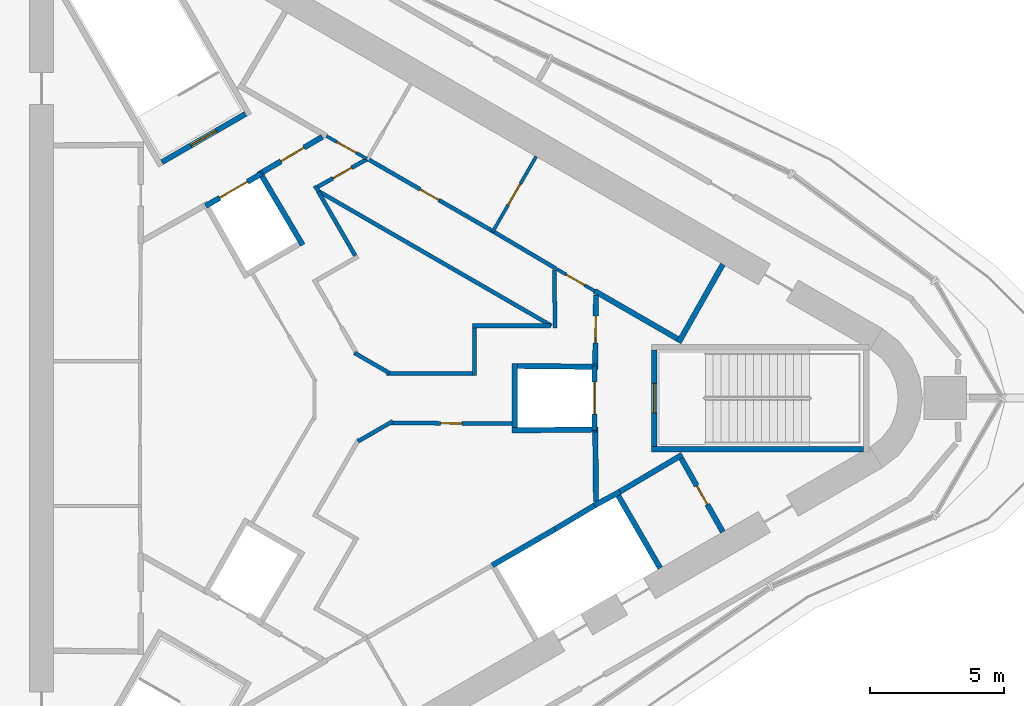
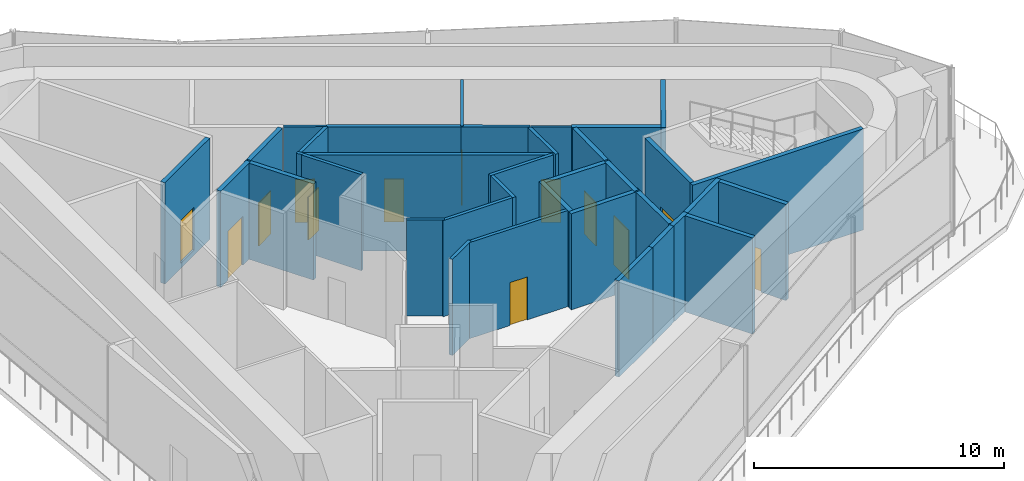
# One storey, part 5 of 8: 36 walls, 13 doors, 13 openings.
"""IFC4 building model written with IfcOpenShell, lengths in metres."""

from ifc_helpers import new_model, si_unit, direction, frame, frame_2d, origin, place, context, subcontext, project, spatial, rectangle, extrude, material, layer, layer_set, type_object, element, fill, save


model = new_model("IFC4")

# Units and contexts
model_context = context("Model", 3, precision=1e-05, world=origin(), true_north=direction((0.0, 1.0)))
body_context = subcontext(model_context, "Body", "Model", "MODEL_VIEW")
ifc_project = project(units=[si_unit("LENGTHUNIT", "METRE"), si_unit("AREAUNIT", "SQUARE_METRE"), si_unit("VOLUMEUNIT", "CUBIC_METRE"), si_unit("PLANEANGLEUNIT", "RADIAN"), si_unit("MASSUNIT", "GRAM", prefix="KILO")], contexts=[model_context])

# Site, building, storey
site_placement = place(None, origin())
site = spatial("IfcSite", under=ifc_project, at=site_placement, CompositionType="ELEMENT")
building_placement = place(site_placement, origin())
building = spatial("IfcBuilding", under=site, at=building_placement, Name="Tanit Gate Tower", CompositionType="ELEMENT")
storey_placement = place(building_placement, frame((0.0, 0.0, 440.300048828125)))
storey = spatial("IfcBuildingStorey", under=building, at=storey_placement, Name="L99", CompositionType="ELEMENT", Elevation=440.300048828125)

# Walls
ifc_material_1 = material(Name="Fire-rated gypsum board partition")
ifc_layer_1 = layer(ifc_material_1, 0.199951171875)
ifc_layer_set_1 = layer_set([ifc_layer_1], Name="INT-WALL-COMPARTMENT")
wall_type_1 = type_object("IfcWallType", Name="INT-WALL-COMPARTMENT", PredefinedType="PARTITIONING", material=ifc_layer_set_1)
wall_1_placement = place(storey_placement, frame((12.10986328125, 2.07275390625, 0.0), z_axis=(0.0, 0.0, 1.0), x_axis=(0.49196600604, 0.870614408852, 0.0)))
element("IfcWall", 1, at=wall_1_placement, inside=storey, type_object=wall_type_1, Name="Wall Compartment W043", PredefinedType="PARTITIONING", context=body_context, shape_type="SweptSolid", body=[
    extrude(rectangle(XDim=3.35009765625, YDim=0.199951171875, at=frame_2d((1.675048828125, 0.0))), origin(), (0.0, 0.0, 1.0), 4.699951171875),
])
wall_2_placement = place(storey_placement, frame((8.97412109375, 3.998779296875, 0.0), z_axis=(0.0, 0.0, 1.0), x_axis=(0.86601284211, -0.500021756827, 0.0)))
element("IfcWall", 2, at=wall_2_placement, inside=storey, type_object=wall_type_1, Name="Wall Compartment W044", PredefinedType="PARTITIONING", context=body_context, shape_type="SweptSolid", body=[
    extrude(rectangle(XDim=3.577392578125, YDim=0.199951171875, at=frame_2d((1.78857421875, 0.0))), origin(), (0.0, 0.0, 1.0), 4.699951171875),
])
wall_3_placement = place(storey_placement, frame((12.244873046875, -2.10888671875, 0.0), z_axis=(0.0, 0.0, 1.0), x_axis=(-0.860414880418, -0.509594185166, 0.0)))
element("IfcWall", 3, at=wall_3_placement, inside=storey, type_object=wall_type_1, Name="Wall Compartment W057", PredefinedType="PARTITIONING", context=body_context, shape_type="SweptSolid", body=[
    extrude(rectangle(XDim=2.7001953125, YDim=0.199951171875, at=frame_2d((1.35009765625, 0.0))), origin(), (0.0, 0.0, 1.0), 4.699951171875),
])

# Wall, opening, door
wall_4_placement = place(storey_placement, frame((13.758056640625, -4.989501953125, 0.0), z_axis=(0.0, 0.0, 1.0), x_axis=(-0.491993409184, 0.87059892334, 0.0)))
wall_4 = element("IfcWall", 4, at=wall_4_placement, inside=storey, type_object=wall_type_1, Name="Wall Compartment W058", PredefinedType="PARTITIONING", context=body_context, shape_type="SweptSolid", body=[
    extrude(rectangle(XDim=3.150146484375, YDim=0.199951171875, at=frame_2d((1.5751953125, 0.0))), origin(), (0.0, 0.0, 1.0), 4.699951171875),
])
opening_1_placement = place(wall_4_placement, frame((1.175048828125, 0.0, 0.0)))
opening_1 = element("IfcOpeningElement", 5, at=opening_1_placement, cuts=wall_4, Name="Opening R08-99-22", PredefinedType="OPENING", context=body_context, shape_type="SweptSolid", body=[
    extrude(rectangle(XDim=0.800048828125, YDim=2.10009765625, at=frame_2d((0.39990234375, 1.050048828125))), frame((0.0, 0.10986328125, 0.0), z_axis=(0.0, -1.0, 0.0), x_axis=(1.0, 0.0, 0.0)), (0.0, 0.0, 1.0), 0.219970703125),
])
ifc_material_2 = material(Name="Timber door leaf", Category="wood")
door_type_1 = type_object("IfcDoorType", Name="INT-DOOR-RISER-800", OperationType="NOTDEFINED", PredefinedType="USERDEFINED", material=ifc_material_2)
door_1_placement = place(opening_1_placement, origin())
door_1 = element("IfcDoor", 6, at=door_1_placement, inside=storey, type_object=door_type_1, Name="Door R08-99-22", ObjectType="FIRE DOOR", OperationType="SINGLE_SWING_LEFT", OverallHeight=2.10009765625, OverallWidth=0.800048828125, PredefinedType="USERDEFINED", context=body_context, shape_type="SweptSolid", body=[
    extrude(rectangle(XDim=0.800048828125, YDim=2.10009765625, at=frame_2d((0.39990234375, 1.050048828125))), frame((0.0, 0.02490234375, 0.0), z_axis=(0.0, -1.0, 0.0), x_axis=(1.0, 0.0, 0.0)), (0.0, 0.0, 1.0), 0.050048828125),
])
fill(opening_1, door_1)

# Wall
wall_5_placement = place(storey_placement, frame((9.02880859375, -3.8505859375, 0.0), z_axis=(0.0, 0.0, 1.0), x_axis=(-0.010784614026, 0.999941844359, 0.0)))
element("IfcWall", 7, at=wall_5_placement, inside=storey, type_object=wall_type_1, Name="Wall Compartment W059", PredefinedType="PARTITIONING", context=body_context, shape_type="SweptSolid", body=[
    extrude(rectangle(XDim=2.580810546875, YDim=0.199951171875, at=frame_2d((1.29052734375, 0.0))), origin(), (0.0, 0.0, 1.0), 4.699951171875),
])

# Wall, opening, door
wall_6_placement = place(storey_placement, frame((9.0009765625, 1.27001953125, 0.0), z_axis=(0.0, 0.0, 1.0), x_axis=(0.010780534828, 0.999941888346, 0.0)))
wall_6 = element("IfcWall", 8, at=wall_6_placement, inside=storey, type_object=wall_type_1, Name="Wall Compartment W060", PredefinedType="PARTITIONING", context=body_context, shape_type="SweptSolid", body=[
    extrude(rectangle(XDim=2.581787109375, YDim=0.199951171875, at=frame_2d((1.291015625, 0.0))), origin(), (0.0, 0.0, 1.0), 4.699951171875),
])
opening_2_placement = place(wall_6_placement, frame((0.791015625, 0.0, 0.0)))
opening_2 = element("IfcOpeningElement", 9, at=opening_2_placement, cuts=wall_6, Name="Opening F10-99-02", PredefinedType="OPENING", context=body_context, shape_type="SweptSolid", body=[
    extrude(rectangle(XDim=1.0, YDim=2.10009765625, at=frame_2d((0.5, 1.050048828125))), frame((0.0, 0.10986328125, 0.0), z_axis=(0.0, -1.0, 0.0), x_axis=(1.0, 0.0, 0.0)), (0.0, 0.0, 1.0), 0.219970703125),
])
ifc_material_3 = material(Name="Fire-rated steel door leaf", Category="steel")
door_type_2 = type_object("IfcDoorType", Name="INT-DOOR-FIRE-1000", OperationType="NOTDEFINED", PredefinedType="USERDEFINED", material=ifc_material_3)
door_2_placement = place(opening_2_placement, origin())
door_2 = element("IfcDoor", 10, at=door_2_placement, inside=storey, type_object=door_type_2, Name="Door F10-99-02", ObjectType="FIRE DOOR", OperationType="SINGLE_SWING_RIGHT", OverallHeight=2.10009765625, OverallWidth=1.0, PredefinedType="USERDEFINED", context=body_context, shape_type="SweptSolid", body=[
    extrude(rectangle(XDim=1.0, YDim=2.10009765625, at=frame_2d((0.5, 1.050048828125))), frame((0.0, 0.02490234375, 0.0), z_axis=(0.0, -1.0, 0.0), x_axis=(1.0, 0.0, 0.0)), (0.0, 0.0, 1.0), 0.050048828125),
])
fill(opening_2, door_2)

wall_7_placement = place(storey_placement, frame((-1.1787109375, 9.744873046875, 0.0), z_axis=(0.0, 0.0, 1.0), x_axis=(-0.860630814782, -0.509229418482, 0.0)))
wall_7 = element("IfcWall", 11, at=wall_7_placement, inside=storey, type_object=wall_type_1, Name="Wall Compartment W062", PredefinedType="PARTITIONING", context=body_context, shape_type="SweptSolid", body=[
    extrude(rectangle(XDim=2.581787109375, YDim=0.199951171875, at=frame_2d((1.291015625, 0.0))), origin(), (0.0, 0.0, 1.0), 4.699951171875),
])
opening_3_placement = place(wall_7_placement, frame((0.791015625, 0.0, 0.0)))
opening_3 = element("IfcOpeningElement", 12, at=opening_3_placement, cuts=wall_7, Name="Opening F10-99-05", PredefinedType="OPENING", context=body_context, shape_type="SweptSolid", body=[
    extrude(rectangle(XDim=1.0, YDim=2.10009765625, at=frame_2d((0.5, 1.050048828125))), frame((0.0, 0.10986328125, 0.0), z_axis=(0.0, -1.0, 0.0), x_axis=(1.0, 0.0, 0.0)), (0.0, 0.0, 1.0), 0.219970703125),
])
door_3_placement = place(opening_3_placement, origin())
door_3 = element("IfcDoor", 13, at=door_3_placement, inside=storey, type_object=door_type_2, Name="Door F10-99-05", ObjectType="FIRE DOOR", OperationType="SINGLE_SWING_LEFT", OverallHeight=2.10009765625, OverallWidth=1.0, PredefinedType="USERDEFINED", context=body_context, shape_type="SweptSolid", body=[
    extrude(rectangle(XDim=1.0, YDim=2.10009765625, at=frame_2d((0.5, 1.050048828125))), frame((0.0, 0.02490234375, 0.0), z_axis=(0.0, -1.0, 0.0), x_axis=(1.0, 0.0, 0.0)), (0.0, 0.0, 1.0), 0.050048828125),
])
fill(opening_3, door_3)

ifc_material_4 = material(Name="Gypsum board partition")
ifc_layer_2 = layer(ifc_material_4, 0.1201171875)
ifc_layer_set_2 = layer_set([ifc_layer_2], Name="INT-WALL-PARTITION")
wall_type_2 = type_object("IfcWallType", Name="INT-WALL-PARTITION", PredefinedType="PARTITIONING", material=ifc_layer_set_2)
wall_8_placement = place(storey_placement, frame((6.795166015625, 9.009521484375, 0.0), z_axis=(0.0, 0.0, 1.0), x_axis=(-0.499984717929, -0.866034226713, 0.0)))
wall_8 = element("IfcWall", 14, at=wall_8_placement, inside=storey, type_object=wall_type_2, Name="Wall Partition W042", PredefinedType="PARTITIONING", context=body_context, shape_type="SweptSolid", body=[
    extrude(rectangle(XDim=3.25, YDim=0.1201171875, at=frame_2d((1.625, 0.0))), origin(), (0.0, 0.0, 1.0), 4.699951171875),
])
opening_4_placement = place(wall_8_placement, frame((1.175048828125, 0.0, 0.0)))
opening_4 = element("IfcOpeningElement", 15, at=opening_4_placement, cuts=wall_8, Name="Opening D09-99-30", PredefinedType="OPENING", context=body_context, shape_type="SweptSolid", body=[
    extrude(rectangle(XDim=0.89990234375, YDim=2.10009765625, at=frame_2d((0.449951171875, 1.050048828125))), frame((0.0, 0.070068359375, 0.0), z_axis=(0.0, -1.0, 0.0), x_axis=(1.0, 0.0, 0.0)), (0.0, 0.0, 1.0), 0.14013671875),
])
ifc_material_5 = material(Name="Timber door leaf", Category="wood")
door_type_3 = type_object("IfcDoorType", Name="INT-DOOR-SINGLE-900", OperationType="NOTDEFINED", PredefinedType="NOTDEFINED", material=ifc_material_5)
door_4_placement = place(opening_4_placement, origin())
door_4 = element("IfcDoor", 16, at=door_4_placement, inside=storey, type_object=door_type_3, Name="Door D09-99-30", OperationType="SINGLE_SWING_RIGHT", OverallHeight=2.10009765625, OverallWidth=0.89990234375, PredefinedType="NOTDEFINED", context=body_context, shape_type="SweptSolid", body=[
    extrude(rectangle(XDim=0.89990234375, YDim=2.10009765625, at=frame_2d((0.449951171875, 1.050048828125))), frame((0.0, 0.02490234375, 0.0), z_axis=(0.0, -1.0, 0.0), x_axis=(1.0, 0.0, 0.0)), (0.0, 0.0, 1.0), 0.050048828125),
])
fill(opening_4, door_4)

wall_9_placement = place(storey_placement, frame((7.550048828125, 4.82080078125, 0.0), z_axis=(0.0, 0.0, 1.0), x_axis=(0.866069384335, -0.499923815713, 0.0)))
wall_9 = element("IfcWall", 17, at=wall_9_placement, inside=storey, type_object=wall_type_2, Name="Wall Partition W046", PredefinedType="PARTITIONING", context=body_context, shape_type="SweptSolid", body=[
    extrude(rectangle(XDim=1.644287109375, YDim=0.1201171875, at=frame_2d((0.822265625, 0.0))), origin(), (0.0, 0.0, 1.0), 4.699951171875),
])
opening_5_placement = place(wall_9_placement, frame((0.422119140625, 0.0, 0.0)))
opening_5 = element("IfcOpeningElement", 18, at=opening_5_placement, cuts=wall_9, Name="Opening R08-99-17", PredefinedType="OPENING", context=body_context, shape_type="SweptSolid", body=[
    extrude(rectangle(XDim=0.800048828125, YDim=2.10009765625, at=frame_2d((0.39990234375, 1.050048828125))), frame((0.0, 0.070068359375, 0.0), z_axis=(0.0, -1.0, 0.0), x_axis=(1.0, 0.0, 0.0)), (0.0, 0.0, 1.0), 0.14013671875),
])
door_5_placement = place(opening_5_placement, origin())
door_5 = element("IfcDoor", 19, at=door_5_placement, inside=storey, type_object=door_type_1, Name="Door R08-99-17", ObjectType="FIRE DOOR", OperationType="SINGLE_SWING_LEFT", OverallHeight=2.10009765625, OverallWidth=0.800048828125, PredefinedType="USERDEFINED", context=body_context, shape_type="SweptSolid", body=[
    extrude(rectangle(XDim=0.800048828125, YDim=2.10009765625, at=frame_2d((0.39990234375, 1.050048828125))), frame((0.0, 0.02490234375, 0.0), z_axis=(0.0, -1.0, 0.0), x_axis=(1.0, 0.0, 0.0)), (0.0, 0.0, 1.0), 0.050048828125),
])
fill(opening_5, door_5)

wall_10_placement = place(storey_placement, frame((-1.023681640625, 9.771728515625, 0.0), z_axis=(0.0, 0.0, 1.0), x_axis=(0.871968924608, -0.489561226527, 0.0)))
wall_10 = element("IfcWall", 20, at=wall_10_placement, inside=storey, type_object=wall_type_2, Name="Wall Partition W051", PredefinedType="PARTITIONING", context=body_context, shape_type="SweptSolid", body=[
    extrude(rectangle(XDim=1.722412109375, YDim=0.1201171875, at=frame_2d((0.861328125, 0.0))), origin(), (0.0, 0.0, 1.0), 4.699951171875),
])
opening_6_placement = place(wall_10_placement, frame((0.461181640625, 0.0, 0.0)))
opening_6 = element("IfcOpeningElement", 21, at=opening_6_placement, cuts=wall_10, Name="Opening R08-99-19", PredefinedType="OPENING", context=body_context, shape_type="SweptSolid", body=[
    extrude(rectangle(XDim=0.800048828125, YDim=2.10009765625, at=frame_2d((0.39990234375, 1.050048828125))), frame((0.0, 0.070068359375, 0.0), z_axis=(0.0, -1.0, 0.0), x_axis=(1.0, 0.0, 0.0)), (0.0, 0.0, 1.0), 0.14013671875),
])
door_6_placement = place(opening_6_placement, origin())
door_6 = element("IfcDoor", 22, at=door_6_placement, inside=storey, type_object=door_type_1, Name="Door R08-99-19", ObjectType="FIRE DOOR", OperationType="SINGLE_SWING_LEFT", OverallHeight=2.10009765625, OverallWidth=0.800048828125, PredefinedType="USERDEFINED", context=body_context, shape_type="SweptSolid", body=[
    extrude(rectangle(XDim=0.800048828125, YDim=2.10009765625, at=frame_2d((0.39990234375, 1.050048828125))), frame((0.0, 0.02490234375, 0.0), z_axis=(0.0, -1.0, 0.0), x_axis=(1.0, 0.0, 0.0)), (0.0, 0.0, 1.0), 0.050048828125),
])
fill(opening_6, door_6)

# Wall
ifc_material_6 = material(Name="Fire-rated gypsum board partition")
ifc_layer_3 = layer(ifc_material_6, 0.14990234375)
ifc_layer_set_3 = layer_set([ifc_layer_3], Name="INT-WALL-RISER")
wall_type_3 = type_object("IfcWallType", Name="INT-WALL-RISER", PredefinedType="PLUMBINGWALL", material=ifc_layer_set_3)
wall_11_placement = place(storey_placement, frame((5.1591796875, 6.23583984375, 0.0), z_axis=(0.0, 0.0, 1.0), x_axis=(0.860550523279, -0.509365091938, 0.0)))
element("IfcWall", 23, at=wall_11_placement, inside=storey, type_object=wall_type_3, Name="Wall Riser W045", PredefinedType="PLUMBINGWALL", context=body_context, shape_type="SweptSolid", body=[
    extrude(rectangle(XDim=2.755126953125, YDim=0.14990234375, at=frame_2d((1.37744140625, 0.0))), origin(), (0.0, 0.0, 1.0), 4.699951171875),
])

# Wall, opening, door
wall_12_placement = place(storey_placement, frame((5.1591796875, 6.23583984375, 0.0), z_axis=(0.0, 0.0, 1.0), x_axis=(-0.866028230842, 0.499995103361, 0.0)))
wall_12 = element("IfcWall", 24, at=wall_12_placement, inside=storey, type_object=wall_type_3, Name="Wall Riser W048", PredefinedType="PLUMBINGWALL", context=body_context, shape_type="SweptSolid", body=[
    extrude(rectangle(XDim=5.39990234375, YDim=0.14990234375, at=frame_2d((2.699951171875, 0.0))), origin(), (0.0, 0.0, 1.0), 4.699951171875),
])
opening_7_placement = place(wall_12_placement, frame((2.300048828125, 0.0, 0.0)))
opening_7 = element("IfcOpeningElement", 25, at=opening_7_placement, cuts=wall_12, Name="Opening R08-99-23", PredefinedType="OPENING", context=body_context, shape_type="SweptSolid", body=[
    extrude(rectangle(XDim=0.800048828125, YDim=2.10009765625, at=frame_2d((0.39990234375, 1.050048828125))), frame((0.0, 0.0849609375, 0.0), z_axis=(0.0, -1.0, 0.0), x_axis=(1.0, 0.0, 0.0)), (0.0, 0.0, 1.0), 0.169921875),
])
door_7_placement = place(opening_7_placement, origin())
door_7 = element("IfcDoor", 26, at=door_7_placement, inside=storey, type_object=door_type_1, Name="Door R08-99-23", ObjectType="FIRE DOOR", OperationType="SINGLE_SWING_RIGHT", OverallHeight=2.10009765625, OverallWidth=0.800048828125, PredefinedType="USERDEFINED", context=body_context, shape_type="SweptSolid", body=[
    extrude(rectangle(XDim=0.800048828125, YDim=2.10009765625, at=frame_2d((0.39990234375, 1.050048828125))), frame((0.0, 0.02490234375, 0.0), z_axis=(0.0, -1.0, 0.0), x_axis=(1.0, 0.0, 0.0)), (0.0, 0.0, 1.0), 0.050048828125),
])
fill(opening_7, door_7)

# Wall
wall_13_placement = place(storey_placement, frame((1.453125, -0.861083984375, 0.0), z_axis=(0.0, 0.0, 1.0), x_axis=(-0.86608832794, -0.499890996325, 0.0)))
element("IfcWall", 27, at=wall_13_placement, inside=storey, type_object=wall_type_3, Name="Wall Riser W072", PredefinedType="PLUMBINGWALL", context=body_context, shape_type="SweptSolid", body=[
    extrude(rectangle(XDim=1.504638671875, YDim=0.14990234375, at=frame_2d((0.75244140625, 0.0))), origin(), (0.0, 0.0, 1.0), 4.699951171875),
])

# Wall, opening, door
wall_14_placement = place(storey_placement, frame((5.89990234375, -0.953857421875, 0.0), z_axis=(0.0, 0.0, 1.0), x_axis=(-0.999979813999, 0.006353864523, 0.0)))
wall_14 = element("IfcWall", 28, at=wall_14_placement, inside=storey, type_object=wall_type_3, Name="Wall Riser W073", PredefinedType="PLUMBINGWALL", context=body_context, shape_type="SweptSolid", body=[
    extrude(rectangle(XDim=4.533935546875, YDim=0.14990234375, at=frame_2d((2.26708984375, 0.0))), origin(), (0.0, 0.0, 1.0), 4.699951171875),
])
opening_8_placement = place(wall_14_placement, frame((1.8671875, 0.0, 0.0)))
opening_8 = element("IfcOpeningElement", 29, at=opening_8_placement, cuts=wall_14, Name="Opening R08-99-11", PredefinedType="OPENING", context=body_context, shape_type="SweptSolid", body=[
    extrude(rectangle(XDim=0.800048828125, YDim=2.10009765625, at=frame_2d((0.39990234375, 1.050048828125))), frame((0.0, 0.0849609375, 0.0), z_axis=(0.0, -1.0, 0.0), x_axis=(1.0, 0.0, 0.0)), (0.0, 0.0, 1.0), 0.169921875),
])
door_8_placement = place(opening_8_placement, origin())
door_8 = element("IfcDoor", 30, at=door_8_placement, inside=storey, type_object=door_type_1, Name="Door R08-99-11", ObjectType="FIRE DOOR", OperationType="SINGLE_SWING_LEFT", OverallHeight=2.10009765625, OverallWidth=0.800048828125, PredefinedType="USERDEFINED", context=body_context, shape_type="SweptSolid", body=[
    extrude(rectangle(XDim=0.800048828125, YDim=2.10009765625, at=frame_2d((0.39990234375, 1.050048828125))), frame((0.0, 0.02490234375, 0.0), z_axis=(0.0, -1.0, 0.0), x_axis=(1.0, 0.0, 0.0)), (0.0, 0.0, 1.0), 0.050048828125),
])
fill(opening_8, door_8)

# Walls
wall_15_placement = place(storey_placement, frame((7.36669921875, 2.699951171875, 0.0), z_axis=(0.0, 0.0, 1.0), x_axis=(-0.866027158831, 0.499996960157, 0.0)))
element("IfcWall", 31, at=wall_15_placement, inside=storey, type_object=wall_type_3, Name="Wall Riser W074", PredefinedType="PLUMBINGWALL", context=body_context, shape_type="SweptSolid", body=[
    extrude(rectangle(XDim=10.0595703125, YDim=0.14990234375, at=frame_2d((5.02978515625, 0.0))), origin(), (0.0, 0.0, 1.0), 4.699951171875),
])
wall_16_placement = place(storey_placement, frame((-1.465087890625, 7.9140625, 0.0), z_axis=(0.0, 0.0, 1.0), x_axis=(0.613555553277, -0.789651557994, 0.0)))
element("IfcWall", 32, at=wall_16_placement, inside=storey, type_object=wall_type_3, Name="Wall Riser W075", PredefinedType="PLUMBINGWALL", context=body_context, shape_type="SweptSolid", body=[
    extrude(rectangle(XDim=0.263427734375, YDim=0.14990234375, at=frame_2d((0.1318359375, 0.0))), origin(), (0.0, 0.0, 1.0), 4.699951171875),
])

# Wall, opening, door
wall_17_placement = place(storey_placement, frame((0.475341796875, 8.9052734375, 0.0), z_axis=(0.0, 0.0, 1.0), x_axis=(-0.871859457225, -0.489756150392, 0.0)))
wall_17 = element("IfcWall", 33, at=wall_17_placement, inside=storey, type_object=wall_type_3, Name="Wall Riser W076", PredefinedType="PLUMBINGWALL", context=body_context, shape_type="SweptSolid", body=[
    extrude(rectangle(XDim=2.088623046875, YDim=0.14990234375, at=frame_2d((1.04443359375, 0.0))), origin(), (0.0, 0.0, 1.0), 4.699951171875),
])
opening_9_placement = place(wall_17_placement, frame((0.644287109375, 0.0, 0.0)))
opening_9 = element("IfcOpeningElement", 34, at=opening_9_placement, cuts=wall_17, Name="Opening R08-99-12", PredefinedType="OPENING", context=body_context, shape_type="SweptSolid", body=[
    extrude(rectangle(XDim=0.800048828125, YDim=2.10009765625, at=frame_2d((0.39990234375, 1.050048828125))), frame((0.0, 0.0849609375, 0.0), z_axis=(0.0, -1.0, 0.0), x_axis=(1.0, 0.0, 0.0)), (0.0, 0.0, 1.0), 0.169921875),
])
door_9_placement = place(opening_9_placement, origin())
door_9 = element("IfcDoor", 35, at=door_9_placement, inside=storey, type_object=door_type_1, Name="Door R08-99-12", ObjectType="FIRE DOOR", OperationType="SINGLE_SWING_RIGHT", OverallHeight=2.10009765625, OverallWidth=0.800048828125, PredefinedType="USERDEFINED", context=body_context, shape_type="SweptSolid", body=[
    extrude(rectangle(XDim=0.800048828125, YDim=2.10009765625, at=frame_2d((0.39990234375, 1.050048828125))), frame((0.0, 0.02490234375, 0.0), z_axis=(0.0, -1.0, 0.0), x_axis=(1.0, 0.0, 0.0)), (0.0, 0.0, 1.0), 0.050048828125),
])
fill(opening_9, door_9)

# Walls
wall_18_placement = place(storey_placement, frame((7.5009765625, 2.613037109375, 0.0), z_axis=(0.0, 0.0, 1.0), x_axis=(-0.011734691853, 0.999931146133, 0.0)))
element("IfcWall", 36, at=wall_18_placement, inside=storey, type_object=wall_type_3, Name="Wall Riser W077", PredefinedType="PLUMBINGWALL", context=body_context, shape_type="SweptSolid", body=[
    extrude(rectangle(XDim=2.163818359375, YDim=0.14990234375, at=frame_2d((1.08203125, 0.0))), origin(), (0.0, 0.0, 1.0), 4.699951171875),
])
wall_19_placement = place(storey_placement, frame((4.425048828125, 2.699951171875, 0.0), z_axis=(0.0, 0.0, 1.0), x_axis=(1.0, 0.0, 0.0)))
element("IfcWall", 37, at=wall_19_placement, inside=storey, type_object=wall_type_3, Name="Wall Riser W079", PredefinedType="PLUMBINGWALL", context=body_context, shape_type="SweptSolid", body=[
    extrude(rectangle(XDim=2.911865234375, YDim=0.14990234375, at=frame_2d((1.4560546875, 0.0))), origin(), (0.0, 0.0, 1.0), 4.699951171875),
])
wall_20_placement = place(storey_placement, frame((4.5, 0.85009765625, 0.0), z_axis=(0.0, 0.0, 1.0), x_axis=(0.0, 1.0, 0.0)))
element("IfcWall", 38, at=wall_20_placement, inside=storey, type_object=wall_type_3, Name="Wall Riser W080", PredefinedType="PLUMBINGWALL", context=body_context, shape_type="SweptSolid", body=[
    extrude(rectangle(XDim=1.77490234375, YDim=0.14990234375, at=frame_2d((0.887451171875, 0.0))), origin(), (0.0, 0.0, 1.0), 4.699951171875),
])
wall_21_placement = place(storey_placement, frame((1.21240234375, 0.925048828125, 0.0), z_axis=(0.0, 0.0, 1.0), x_axis=(1.0, 0.0, 0.0)))
element("IfcWall", 39, at=wall_21_placement, inside=storey, type_object=wall_type_3, Name="Wall Riser W081", PredefinedType="PLUMBINGWALL", context=body_context, shape_type="SweptSolid", body=[
    extrude(rectangle(XDim=3.212646484375, YDim=0.14990234375, at=frame_2d((1.6064453125, 0.0))), origin(), (0.0, 0.0, 1.0), 4.699951171875),
])
wall_22_placement = place(storey_placement, frame((0.017333984375, 1.68994140625, 0.0), z_axis=(0.0, 0.0, 1.0), x_axis=(0.866020997002, -0.500007632694, 0.0)))
element("IfcWall", 40, at=wall_22_placement, inside=storey, type_object=wall_type_3, Name="Wall Riser W082", PredefinedType="PLUMBINGWALL", context=body_context, shape_type="SweptSolid", body=[
    extrude(rectangle(XDim=1.5068359375, YDim=0.14990234375, at=frame_2d((0.75341796875, 0.0))), origin(), (0.0, 0.0, 1.0), 4.699951171875),
])
wall_23_placement = place(storey_placement, frame((-1.330078125, 7.703857421875, 0.0), z_axis=(0.0, 0.0, 1.0), x_axis=(0.499980071345, -0.866036909293, 0.0)))
element("IfcWall", 41, at=wall_23_placement, inside=storey, type_object=wall_type_3, Name="Wall Riser W085", PredefinedType="PLUMBINGWALL", context=body_context, shape_type="SweptSolid", body=[
    extrude(rectangle(XDim=2.76171875, YDim=0.14990234375, at=frame_2d((1.380859375, 0.0))), origin(), (0.0, 0.0, 1.0), 4.699951171875),
])
ifc_material_7 = material(Name="Gypsum shaft wall system")
ifc_layer_4 = layer(ifc_material_7, 0.199951171875)
ifc_layer_set_4 = layer_set([ifc_layer_4], Name="INT-WALL-SHAFT")
wall_type_4 = type_object("IfcWallType", Name="INT-WALL-SHAFT", PredefinedType="PLUMBINGWALL", material=ifc_layer_set_4)
wall_24_placement = place(storey_placement, frame((5.1591796875, -6.23583984375, 0.0), z_axis=(0.0, 0.0, 1.0), x_axis=(0.866036505625, 0.499980770555, 0.0)))
element("IfcWall", 42, at=wall_24_placement, inside=storey, type_object=wall_type_4, Name="Wall Shaft W002", PredefinedType="PLUMBINGWALL", context=body_context, shape_type="SweptSolid", body=[
    extrude(rectangle(XDim=2.69970703125, YDim=0.199951171875, at=frame_2d((1.349853515625, 0.0))), origin(), (0.0, 0.0, 1.0), 4.699951171875),
])
wall_25_placement = place(storey_placement, frame((9.794677734375, -3.52490234375, 0.0), z_axis=(0.0, 0.0, 1.0), x_axis=(0.499984717929, -0.866034226713, 0.0)))
element("IfcWall", 43, at=wall_25_placement, inside=storey, type_object=wall_type_4, Name="Wall Shaft W003", PredefinedType="PLUMBINGWALL", context=body_context, shape_type="SweptSolid", body=[
    extrude(rectangle(XDim=3.25, YDim=0.199951171875, at=frame_2d((1.625, 0.0))), origin(), (0.0, 0.0, 1.0), 4.699951171875),
])
wall_26_placement = place(storey_placement, frame((8.97412109375, -3.998779296875, 0.0), z_axis=(0.0, 0.0, 1.0), x_axis=(0.880907015104, 0.473289373154, 0.0)))
element("IfcWall", 44, at=wall_26_placement, inside=storey, type_object=wall_type_4, Name="Wall Shaft W004", PredefinedType="PLUMBINGWALL", context=body_context, shape_type="SweptSolid", body=[
    extrude(rectangle(XDim=1.078125, YDim=0.199951171875, at=frame_2d((0.5390625, 0.0))), origin(), (0.0, 0.0, 1.0), 4.699951171875),
])
wall_27_placement = place(storey_placement, frame((7.497314453125, -4.885986328125, 0.0), z_axis=(0.0, 0.0, 1.0), x_axis=(0.857516281273, 0.51445682749, 0.0)))
element("IfcWall", 45, at=wall_27_placement, inside=storey, type_object=wall_type_4, Name="Wall Shaft W005", PredefinedType="PLUMBINGWALL", context=body_context, shape_type="SweptSolid", body=[
    extrude(rectangle(XDim=1.8447265625, YDim=0.199951171875, at=frame_2d((0.92236328125, 0.0))), origin(), (0.0, 0.0, 1.0), 4.699951171875),
])

# Wall, opening, door
wall_28_placement = place(storey_placement, frame((8.969970703125, 1.199951171875, 0.0), z_axis=(0.0, 0.0, 1.0), x_axis=(0.0, -1.0, 0.0)))
wall_28 = element("IfcWall", 46, at=wall_28_placement, inside=storey, type_object=wall_type_4, Name="Wall Shaft W010", PredefinedType="PLUMBINGWALL", context=body_context, shape_type="SweptSolid", body=[
    extrude(rectangle(XDim=2.39990234375, YDim=0.199951171875, at=frame_2d((1.199951171875, 0.0))), origin(), (0.0, 0.0, 1.0), 4.699951171875),
])
opening_10_placement = place(wall_28_placement, frame((0.60009765625, 0.0, 0.0)))
opening_10 = element("IfcOpeningElement", 47, at=opening_10_placement, cuts=wall_28, Name="Opening LDFL1-L99", PredefinedType="OPENING", context=body_context, shape_type="SweptSolid", body=[
    extrude(rectangle(XDim=1.199951171875, YDim=2.39990234375, at=frame_2d((0.60009765625, 1.199951171875))), frame((0.0, 0.10986328125, 0.0), z_axis=(0.0, -1.0, 0.0), x_axis=(1.0, 0.0, 0.0)), (0.0, 0.0, 1.0), 0.219970703125),
])
ifc_material_8 = material(Name="Stainless steel sliding door leaf", Category="steel")
door_type_4 = type_object("IfcDoorType", Name="INT-DOOR-LANDING-1200", OperationType="NOTDEFINED", PredefinedType="USERDEFINED", material=ifc_material_8)
door_10_placement = place(opening_10_placement, origin())
door_10 = element("IfcDoor", 48, at=door_10_placement, inside=storey, type_object=door_type_4, Name="Door LDFL1-L99", ObjectType="LANDING DOOR", OperationType="SLIDING_TO_LEFT", OverallHeight=2.39990234375, OverallWidth=1.199951171875, PredefinedType="USERDEFINED", context=body_context, shape_type="SweptSolid", body=[
    extrude(rectangle(XDim=1.199951171875, YDim=2.39990234375, at=frame_2d((0.60009765625, 1.199951171875))), frame((0.0, 0.02490234375, 0.0), z_axis=(0.0, -1.0, 0.0), x_axis=(1.0, 0.0, 0.0)), (0.0, 0.0, 1.0), 0.050048828125),
])
fill(opening_10, door_10)

# Walls
wall_29_placement = place(storey_placement, frame((9.10009765625, -1.1689453125, 0.0), z_axis=(0.0, 0.0, 1.0), x_axis=(-0.999950064753, -0.009993397809, 0.0)))
element("IfcWall", 49, at=wall_29_placement, inside=storey, type_object=wall_type_4, Name="Wall Shaft W011", PredefinedType="PLUMBINGWALL", context=body_context, shape_type="SweptSolid", body=[
    extrude(rectangle(XDim=3.200439453125, YDim=0.199951171875, at=frame_2d((1.60009765625, 0.0))), origin(), (0.0, 0.0, 1.0), 4.699951171875),
])
wall_30_placement = place(storey_placement, frame((6.0, -1.10009765625, 0.0), z_axis=(0.0, 0.0, 1.0), x_axis=(0.0, 1.0, 0.0)))
element("IfcWall", 50, at=wall_30_placement, inside=storey, type_object=wall_type_4, Name="Wall Shaft W012", PredefinedType="PLUMBINGWALL", context=body_context, shape_type="SweptSolid", body=[
    extrude(rectangle(XDim=2.400146484375, YDim=0.199951171875, at=frame_2d((1.2001953125, 0.0))), origin(), (0.0, 0.0, 1.0), 4.699951171875),
])
wall_31_placement = place(storey_placement, frame((9.10009765625, 1.1689453125, 0.0), z_axis=(0.0, 0.0, 1.0), x_axis=(-0.99994990606, 0.010009264196, 0.0)))
element("IfcWall", 51, at=wall_31_placement, inside=storey, type_object=wall_type_4, Name="Wall Shaft W014", PredefinedType="PLUMBINGWALL", context=body_context, shape_type="SweptSolid", body=[
    extrude(rectangle(XDim=3.000244140625, YDim=0.199951171875, at=frame_2d((1.5, 0.0))), origin(), (0.0, 0.0, 1.0), 4.699951171875),
])

# Wall, opening, door
wall_32_placement = place(storey_placement, frame((-5.524169921875, 7.168212890625, 0.0), z_axis=(0.0, 0.0, 1.0), x_axis=(0.866024647952, 0.500001309137, 0.0)))
wall_32 = element("IfcWall", 52, at=wall_32_placement, inside=storey, type_object=wall_type_4, Name="Wall Shaft W019", PredefinedType="PLUMBINGWALL", context=body_context, shape_type="SweptSolid", body=[
    extrude(rectangle(XDim=2.39990234375, YDim=0.199951171875, at=frame_2d((1.199951171875, 0.0))), origin(), (0.0, 0.0, 1.0), 4.699951171875),
])
opening_11_placement = place(wall_32_placement, frame((0.60009765625, 0.0, 0.0)))
opening_11 = element("IfcOpeningElement", 53, at=opening_11_placement, cuts=wall_32, Name="Opening LDFL2-L99", PredefinedType="OPENING", context=body_context, shape_type="SweptSolid", body=[
    extrude(rectangle(XDim=1.199951171875, YDim=2.39990234375, at=frame_2d((0.60009765625, 1.199951171875))), frame((0.0, 0.10986328125, 0.0), z_axis=(0.0, -1.0, 0.0), x_axis=(1.0, 0.0, 0.0)), (0.0, 0.0, 1.0), 0.219970703125),
])
door_11_placement = place(opening_11_placement, origin())
door_11 = element("IfcDoor", 54, at=door_11_placement, inside=storey, type_object=door_type_4, Name="Door LDFL2-L99", ObjectType="LANDING DOOR", OperationType="SLIDING_TO_LEFT", OverallHeight=2.39990234375, OverallWidth=1.199951171875, PredefinedType="USERDEFINED", context=body_context, shape_type="SweptSolid", body=[
    extrude(rectangle(XDim=1.199951171875, YDim=2.39990234375, at=frame_2d((0.60009765625, 1.199951171875))), frame((0.0, 0.02490234375, 0.0), z_axis=(0.0, -1.0, 0.0), x_axis=(1.0, 0.0, 0.0)), (0.0, 0.0, 1.0), 0.050048828125),
])
fill(opening_11, door_11)

# Walls
wall_33_placement = place(storey_placement, frame((-3.53759765625, 8.46533203125, 0.0), z_axis=(0.0, 0.0, 1.0), x_axis=(0.508616218331, -0.860993346345, 0.0)))
element("IfcWall", 55, at=wall_33_placement, inside=storey, type_object=wall_type_4, Name="Wall Shaft W022", PredefinedType="PLUMBINGWALL", context=body_context, shape_type="SweptSolid", body=[
    extrude(rectangle(XDim=3.2001953125, YDim=0.199951171875, at=frame_2d((1.60009765625, 0.0))), origin(), (0.0, 0.0, 1.0), 4.699951171875),
])
ifc_material_9 = material(Name="Concrete C40/50", Category="concrete")
ifc_layer_5 = layer(ifc_material_9, 0.199951171875)
ifc_layer_set_5 = layer_set([ifc_layer_5], Name="INT-WALL-STAIR")
wall_type_5 = type_object("IfcWallType", Name="INT-WALL-STAIR", PredefinedType="SHEAR", material=ifc_layer_set_5)
wall_34_placement = place(storey_placement, frame((11.10009765625, -1.89990234375, -0.25), z_axis=(0.0, 0.0, 1.0), x_axis=(1.0, 0.0, 0.0)))
element("IfcWall", 56, at=wall_34_placement, inside=storey, type_object=wall_type_5, Name="Wall Stair W008", PredefinedType="SHEAR", context=body_context, shape_type="SweptSolid", body=[
    extrude(rectangle(XDim=7.89990234375, YDim=0.199951171875, at=frame_2d((3.949951171875, 0.0))), origin(), (0.0, 0.0, 1.0), 4.949951171875),
])

# Wall, opening, door
wall_35_placement = place(storey_placement, frame((11.199951171875, -1.800048828125, -0.25), z_axis=(0.0, 0.0, 1.0), x_axis=(0.0, 1.0, 0.0)))
wall_35 = element("IfcWall", 57, at=wall_35_placement, inside=storey, type_object=wall_type_5, Name="Wall Stair W009", PredefinedType="SHEAR", context=body_context, shape_type="SweptSolid", body=[
    extrude(rectangle(XDim=3.60009765625, YDim=0.199951171875, at=frame_2d((1.800048828125, 0.0))), origin(), (0.0, 0.0, 1.0), 4.949951171875),
])
opening_12_placement = place(wall_35_placement, frame((1.25, 0.0, 0.25)))
opening_12 = element("IfcOpeningElement", 58, at=opening_12_placement, cuts=wall_35, Name="Opening S11-99-01", PredefinedType="OPENING", context=body_context, shape_type="SweptSolid", body=[
    extrude(rectangle(XDim=1.10009765625, YDim=2.10009765625, at=frame_2d((0.550048828125, 1.050048828125))), frame((0.0, 0.10986328125, 0.0), z_axis=(0.0, -1.0, 0.0), x_axis=(1.0, 0.0, 0.0)), (0.0, 0.0, 1.0), 0.219970703125),
])
ifc_material_10 = material(Name="Timber door leaf", Category="wood")
door_type_5 = type_object("IfcDoorType", Name="INT-DOOR-STAIR-1100", OperationType="NOTDEFINED", PredefinedType="USERDEFINED", material=ifc_material_10)
door_12_placement = place(opening_12_placement, origin())
door_12 = element("IfcDoor", 59, at=door_12_placement, inside=storey, type_object=door_type_5, Name="Door S11-99-01", ObjectType="FIRE DOOR", OperationType="SINGLE_SWING_LEFT", OverallHeight=2.10009765625, OverallWidth=1.10009765625, PredefinedType="USERDEFINED", context=body_context, shape_type="SweptSolid", body=[
    extrude(rectangle(XDim=1.10009765625, YDim=2.10009765625, at=frame_2d((0.550048828125, 1.050048828125))), frame((0.0, 0.02490234375, 0.0), z_axis=(0.0, -1.0, 0.0), x_axis=(1.0, 0.0, 0.0)), (0.0, 0.0, 1.0), 0.050048828125),
])
fill(opening_12, door_12)

wall_36_placement = place(storey_placement, frame((-7.158935546875, 8.799560546875, -0.25), z_axis=(0.0, 0.0, 1.0), x_axis=(0.866047807691, 0.499961193289, 0.0)))
wall_36 = element("IfcWall", 60, at=wall_36_placement, inside=storey, type_object=wall_type_5, Name="Wall Stair W018", PredefinedType="SHEAR", context=body_context, shape_type="SweptSolid", body=[
    extrude(rectangle(XDim=3.599853515625, YDim=0.199951171875, at=frame_2d((1.7998046875, 0.0))), origin(), (0.0, 0.0, 1.0), 4.949951171875),
])
opening_13_placement = place(wall_36_placement, frame((1.25, 0.0, 0.25)))
opening_13 = element("IfcOpeningElement", 61, at=opening_13_placement, cuts=wall_36, Name="Opening S11-99-04", PredefinedType="OPENING", context=body_context, shape_type="SweptSolid", body=[
    extrude(rectangle(XDim=1.10009765625, YDim=2.10009765625, at=frame_2d((0.550048828125, 1.050048828125))), frame((0.0, 0.10986328125, 0.0), z_axis=(0.0, -1.0, 0.0), x_axis=(1.0, 0.0, 0.0)), (0.0, 0.0, 1.0), 0.219970703125),
])
door_13_placement = place(opening_13_placement, origin())
door_13 = element("IfcDoor", 62, at=door_13_placement, inside=storey, type_object=door_type_5, Name="Door S11-99-04", ObjectType="FIRE DOOR", OperationType="SINGLE_SWING_RIGHT", OverallHeight=2.10009765625, OverallWidth=1.10009765625, PredefinedType="USERDEFINED", context=body_context, shape_type="SweptSolid", body=[
    extrude(rectangle(XDim=1.10009765625, YDim=2.10009765625, at=frame_2d((0.550048828125, 1.050048828125))), frame((0.0, 0.02490234375, 0.0), z_axis=(0.0, -1.0, 0.0), x_axis=(1.0, 0.0, 0.0)), (0.0, 0.0, 1.0), 0.050048828125),
])
fill(opening_13, door_13)

save(model, "model.ifc")
